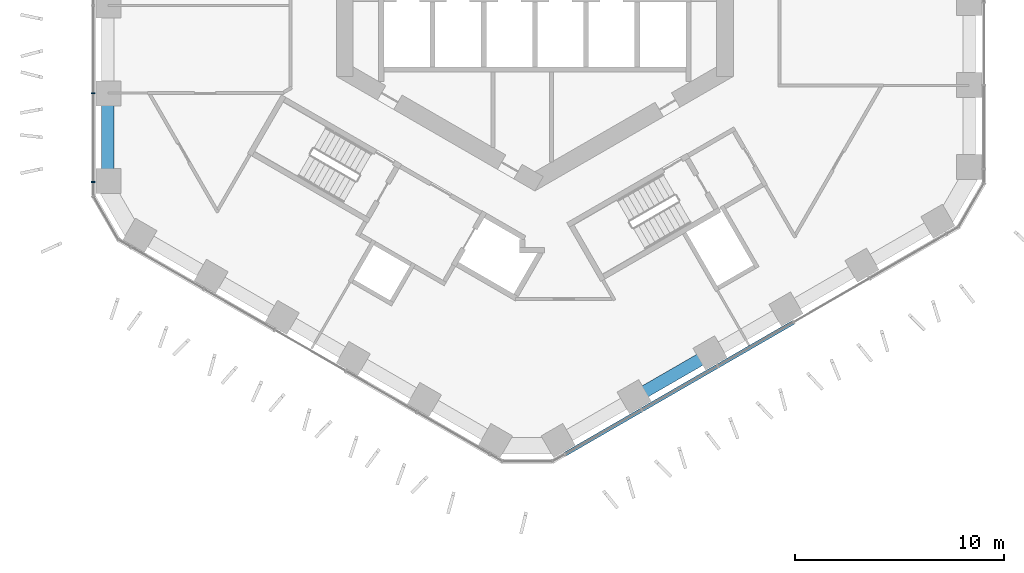
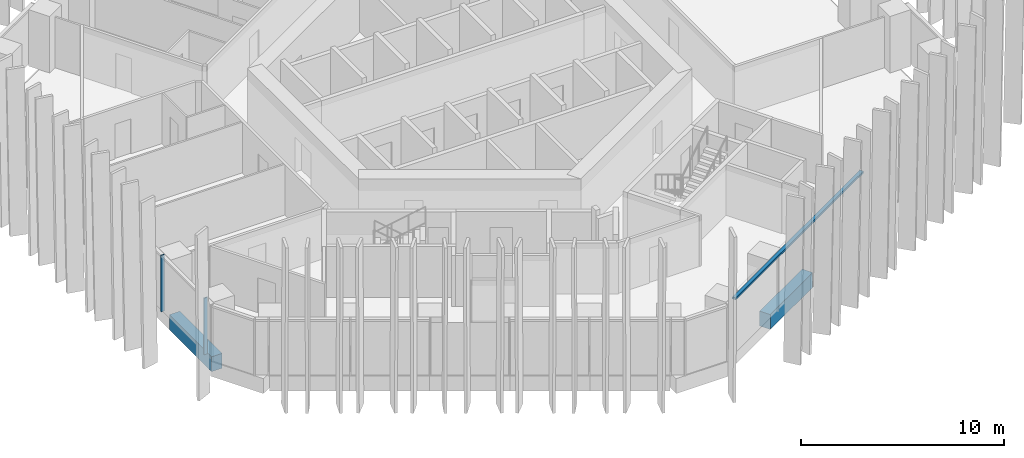
# One storey, part 3 of 19: 3 members, 2 beams, 2 elements without a shape of their own.
"""IFC4 building model written with IfcOpenShell, lengths in metres."""

from ifc_helpers import new_model, si_unit, direction, frame, origin, origin_2d, place, context, subcontext, project, spatial, rectangle, extrude, material, layer, layer_set, material_profile, profile_set, type_object, element, aggregate, save


model = new_model("IFC4")

# Units and contexts
model_context = context("Model", 3, precision=1e-05, world=origin(), true_north=direction((0.0, 1.0)))
body_context = subcontext(model_context, "Body", "Model", "MODEL_VIEW")
ifc_project = project(units=[si_unit("LENGTHUNIT", "METRE"), si_unit("AREAUNIT", "SQUARE_METRE"), si_unit("VOLUMEUNIT", "CUBIC_METRE"), si_unit("PLANEANGLEUNIT", "RADIAN"), si_unit("MASSUNIT", "GRAM", prefix="KILO")], contexts=[model_context])

# Site, building, storey
site_placement = place(None, origin())
site = spatial("IfcSite", under=ifc_project, at=site_placement, CompositionType="ELEMENT")
building_placement = place(site_placement, origin())
building = spatial("IfcBuilding", under=site, at=building_placement, Name="Ayvan Gate Tower", CompositionType="ELEMENT")
storey_placement = place(building_placement, frame((0.0, 0.0, 45.89990234375)))
storey = spatial("IfcBuildingStorey", under=building, at=storey_placement, Name="L11", CompositionType="ELEMENT", Elevation=45.89990234375)

# Beams
ifc_material_1 = material(Name="Concrete C40/50", Category="concrete")
ifc_material_profile_1 = material_profile(ifc_material_1, rectangle(XDim=0.60009765625, YDim=0.89990234375, at=origin_2d()), Name="RC 600x900")
ifc_profile_set_1 = profile_set([ifc_material_profile_1], Name="Concrete C40/50")
beam_type = type_object("IfcBeamType", Name="Spandrel beam RC 600x900 C40/50", PredefinedType="BEAM", material=ifc_profile_set_1)
for number, where, z_axis, x_axis, name in (
    (1, (-20.4423828125, -6.279296875, -0.7998046875), (0.0, -1.0, 0.0), (1.0, 0.0, 0.0), "SB-L11-23"),
    (2, (4.783203125, -20.84326171875, -0.7998046875), (0.866041855584, 0.499971503564, 0.0), (-0.499971503564, 0.866041855584, 0.0), "SB-L11-32"),
):
    element("IfcBeam", number, at=place(storey_placement, frame(where, z_axis=z_axis, x_axis=x_axis)), inside=storey, type_object=beam_type, Name=name, PredefinedType="BEAM", context=body_context, shape_type="SweptSolid", body=[
        extrude(rectangle(XDim=0.60009765625, YDim=0.89990234375, at=origin_2d()), origin(), (0.0, 0.0, 1.0), 4.186279296875),
    ])

# Curtain wall, members
ifc_material_2 = material(Name="Bronze anodised aluminium", Category="aluminium")
ifc_layer = layer(ifc_material_2, 0.199951171875)
ifc_layer_set = layer_set([ifc_layer], Name="Bronze anodised aluminium")
curtain_wall_type = type_object("IfcCurtainWallType", Name="Stick curtain wall CW-1", PredefinedType="NOTDEFINED", material=ifc_layer_set)
curtain_wall_1_placement = place(storey_placement, origin())
curtain_wall_1 = element("IfcCurtainWall", 3, at=curtain_wall_1_placement, inside=storey, type_object=curtain_wall_type, Name="Stick curtain wall CW-1 L11", PredefinedType="NOTDEFINED")
ifc_material_profile_2 = material_profile(ifc_material_2, rectangle(XDim=0.199951171875, YDim=0.06005859375, at=origin_2d()), Name="Stick curtain wall CW-1 mullion 200 x 60")
ifc_profile_set_2 = profile_set([ifc_material_profile_2], Name="Bronze anodised aluminium")
member_type_1 = type_object("IfcMemberType", Name="Stick curtain wall CW-1 mullion 200 x 60", PredefinedType="MULLION", material=ifc_profile_set_2)
member_1_placement = place(storey_placement, frame((-21.12841796875, -6.294189453125, 0.0), z_axis=(0.0, 0.0, 1.0), x_axis=(-1.0, 0.0, 0.0)))
member_1 = element("IfcMember", 4, at=member_1_placement, type_object=member_type_1, Name="CW-1 mullion 5", PredefinedType="MULLION", context=body_context, shape_type="SweptSolid", body=[
    extrude(rectangle(XDim=0.199951171875, YDim=0.06005859375, at=origin_2d()), origin(), (0.0, 0.0, 1.0), 3.400146484375),
])
member_2_placement = place(storey_placement, frame((-21.12841796875, -10.53564453125, 0.0), z_axis=(0.0, 0.0, 1.0), x_axis=(-1.0, 0.0, 0.0)))
member_2 = element("IfcMember", 5, at=member_2_placement, type_object=member_type_1, Name="CW-1 mullion 6", PredefinedType="MULLION", context=body_context, shape_type="SweptSolid", body=[
    extrude(rectangle(XDim=0.199951171875, YDim=0.06005859375, at=origin_2d()), origin(), (0.0, 0.0, 1.0), 3.400146484375),
])
aggregate(curtain_wall_1, [member_1, member_2])

# Curtain wall, member
curtain_wall_2_placement = place(storey_placement, origin())
curtain_wall_2 = element("IfcCurtainWall", 6, at=curtain_wall_2_placement, inside=storey, type_object=curtain_wall_type, Name="Stick curtain wall CW-1 L11", PredefinedType="NOTDEFINED")
ifc_material_profile_3 = material_profile(ifc_material_2, rectangle(XDim=0.199951171875, YDim=0.1201171875, at=origin_2d()), Name="Stick curtain wall CW-1 transom 200 x 120")
ifc_profile_set_3 = profile_set([ifc_material_profile_3], Name="Bronze anodised aluminium")
member_type_2 = type_object("IfcMemberType", Name="Stick curtain wall CW-1 transom 200 x 120", PredefinedType="USERDEFINED", material=ifc_profile_set_3)
member_3_placement = place(storey_placement, frame((1.440185546875, -23.565673828125, 3.340087890625), z_axis=(0.866023333605, 0.500003585639, 0.0), x_axis=(-0.500003585639, 0.866023333605, 0.0)))
member_3 = element("IfcMember", 7, at=member_3_placement, type_object=member_type_2, Name="CW-1 transom 1", ObjectType="TRANSOM", PredefinedType="USERDEFINED", context=body_context, shape_type="SweptSolid", body=[
    extrude(rectangle(XDim=0.199951171875, YDim=0.1201171875, at=origin_2d()), origin(), (0.0, 0.0, 1.0), 12.60400390625),
])
aggregate(curtain_wall_2, [member_3])

save(model, "model.ifc")
